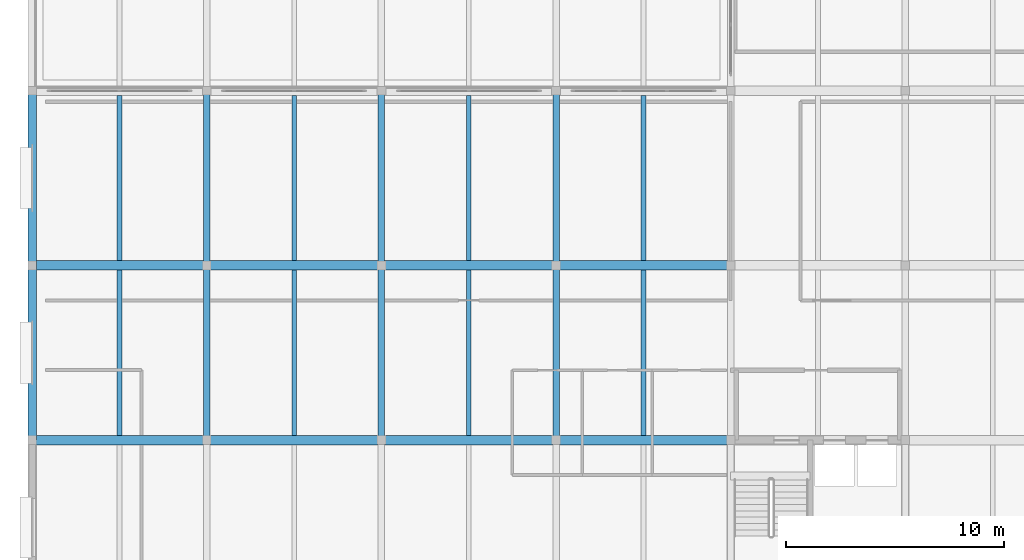
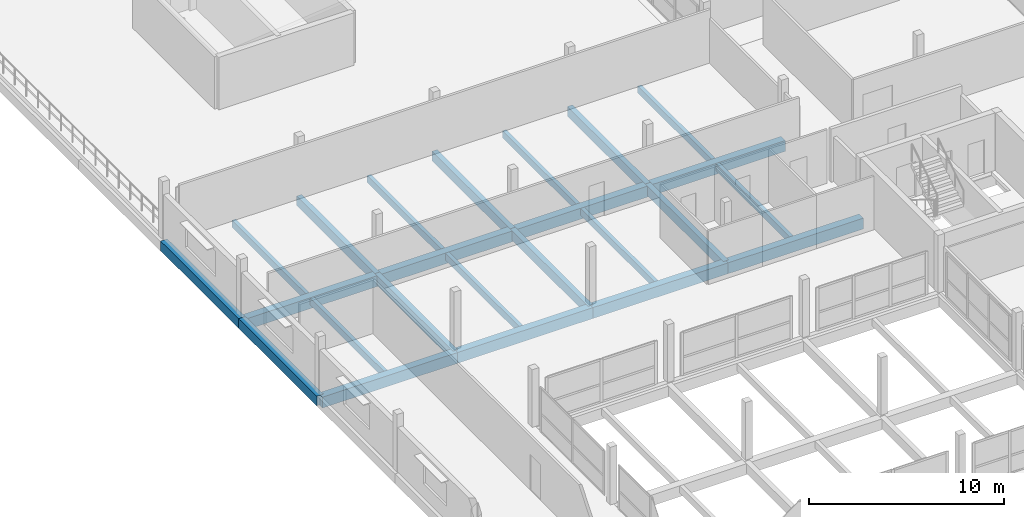
# One storey, part 14 of 51: 24 beams.
"""IFC4 building model written with IfcOpenShell, lengths in metres."""

from ifc_helpers import new_model, si_unit, direction, frame, origin, origin_2d, place, context, subcontext, project, spatial, rectangle, extrude, material, material_profile, profile_set, type_object, element, save


model = new_model("IFC4")

# Units and contexts
model_context = context("Model", 3, precision=1e-05, world=origin(), true_north=direction((0.0, 1.0)))
body_context = subcontext(model_context, "Body", "Model", "MODEL_VIEW")
ifc_project = project(units=[si_unit("LENGTHUNIT", "METRE"), si_unit("AREAUNIT", "SQUARE_METRE"), si_unit("VOLUMEUNIT", "CUBIC_METRE"), si_unit("PLANEANGLEUNIT", "RADIAN"), si_unit("MASSUNIT", "GRAM", prefix="KILO")], contexts=[model_context])

# Site, building, storey
site_placement = place(None, origin())
site = spatial("IfcSite", under=ifc_project, at=site_placement, CompositionType="ELEMENT")
building_placement = place(site_placement, origin())
building = spatial("IfcBuilding", under=site, at=building_placement, Name="Vharandega Faculty of Natural Sciences", CompositionType="ELEMENT")
storey_placement = place(building_placement, frame((0.0, 0.0, 18.0)))
storey = spatial("IfcBuildingStorey", under=building, at=storey_placement, Name="L04", CompositionType="ELEMENT", Elevation=18.0)

# Beams
ifc_material_1 = material(Name="Glulam GL28h", Category="wood")
ifc_material_profile_1 = material_profile(ifc_material_1, rectangle(XDim=0.300048828125, YDim=0.60009765625, at=origin_2d()), Name="GL28h 300x600")
ifc_profile_set_1 = profile_set([ifc_material_profile_1], Name="Glulam GL28h")
beam_type_1 = type_object("IfcBeamType", Name="Glulam Floor Beam 300x600", PredefinedType="BEAM", material=ifc_profile_set_1)
for number, where, z_axis, x_axis, name in (
    (1, (8.0, 48.0, -0.52001953125), (0.0, 1.0, 0.0), (-1.0, 0.0, 0.0), "Beam L04 2/G-H"),
    (2, (8.0, 56.0, -0.52001953125), (0.0, 1.0, 0.0), (-1.0, 0.0, 0.0), "Beam L04 2/H-J"),
    (3, (16.0, 48.0, -0.52001953125), (0.0, 1.0, 0.0), (-1.0, 0.0, 0.0), "Beam L04 3/G-H"),
    (4, (16.0, 56.0, -0.52001953125), (0.0, 1.0, 0.0), (-1.0, 0.0, 0.0), "Beam L04 3/H-J"),
    (5, (24.0, 48.0, -0.52001953125), (0.0, 1.0, 0.0), (-1.0, 0.0, 0.0), "Beam L04 4/G-H"),
    (6, (24.0, 56.0, -0.52001953125), (0.0, 1.0, 0.0), (-1.0, 0.0, 0.0), "Beam L04 4/H-J"),
):
    element("IfcBeam", number, at=place(storey_placement, frame(where, z_axis=z_axis, x_axis=x_axis)), inside=storey, type_object=beam_type_1, Name=name, PredefinedType="BEAM", context=body_context, shape_type="SweptSolid", body=[
        extrude(rectangle(XDim=0.300048828125, YDim=0.60009765625, at=origin_2d()), origin(), (0.0, 0.0, 1.0), 8.0),
    ])
ifc_material_2 = material(Name="Glulam GL32h", Category="wood")
ifc_material_profile_2 = material_profile(ifc_material_2, rectangle(XDim=0.43994140625, YDim=0.679931640625, at=origin_2d()), Name="GL32h 440x680")
ifc_profile_set_2 = profile_set([ifc_material_profile_2], Name="Glulam GL32h")
beam_type_2 = type_object("IfcBeamType", Name="Glulam Girder 440x680", PredefinedType="BEAM", material=ifc_profile_set_2)
for number, where, z_axis, x_axis, name in (
    (7, (0.0, 48.0, -0.56005859375), (1.0, 0.0, 0.0), (0.0, 1.0, 0.0), "Beam L04 G/1-2"),
    (8, (8.0, 48.0, -0.56005859375), (1.0, 0.0, 0.0), (0.0, 1.0, 0.0), "Beam L04 G/2-3"),
    (9, (16.0, 48.0, -0.56005859375), (1.0, 0.0, 0.0), (0.0, 1.0, 0.0), "Beam L04 G/3-4"),
    (10, (24.0, 48.0, -0.56005859375), (1.0, 0.0, 0.0), (0.0, 1.0, 0.0), "Beam L04 G/4-5"),
    (11, (0.0, 56.0, -0.56005859375), (1.0, 0.0, 0.0), (0.0, 1.0, 0.0), "Beam L04 H/1-2"),
    (12, (8.0, 56.0, -0.56005859375), (1.0, 0.0, 0.0), (0.0, 1.0, 0.0), "Beam L04 H/2-3"),
    (13, (16.0, 56.0, -0.56005859375), (1.0, 0.0, 0.0), (0.0, 1.0, 0.0), "Beam L04 H/3-4"),
    (14, (24.0, 56.0, -0.56005859375), (1.0, 0.0, 0.0), (0.0, 1.0, 0.0), "Beam L04 H/4-5"),
):
    element("IfcBeam", number, at=place(storey_placement, frame(where, z_axis=z_axis, x_axis=x_axis)), inside=storey, type_object=beam_type_2, Name=name, PredefinedType="BEAM", context=body_context, shape_type="SweptSolid", body=[
        extrude(rectangle(XDim=0.43994140625, YDim=0.679931640625, at=origin_2d()), origin(), (0.0, 0.0, 1.0), 8.0),
    ])
ifc_material_3 = material(Name="Glulam GL28h", Category="wood")
ifc_material_profile_3 = material_profile(ifc_material_3, rectangle(XDim=0.219970703125, YDim=0.43994140625, at=origin_2d()), Name="GL28h 220x440")
ifc_profile_set_3 = profile_set([ifc_material_profile_3], Name="Glulam GL28h")
beam_type_3 = type_object("IfcBeamType", Name="Glulam Secondary Joist 220x440", PredefinedType="JOIST", material=ifc_profile_set_3)
for number, where, z_axis, x_axis, name in (
    (15, (4.0, 48.219970703125, -0.43994140625), (0.0, 1.0, 0.0), (-1.0, 0.0, 0.0), "Secondary Joist L04 1-2/G-H"),
    (16, (4.0, 56.219970703125, -0.43994140625), (0.0, 1.0, 0.0), (-1.0, 0.0, 0.0), "Secondary Joist L04 1-2/H-J"),
    (17, (12.0, 48.219970703125, -0.43994140625), (0.0, 1.0, 0.0), (-1.0, 0.0, 0.0), "Secondary Joist L04 2-3/G-H"),
    (18, (12.0, 56.219970703125, -0.43994140625), (0.0, 1.0, 0.0), (-1.0, 0.0, 0.0), "Secondary Joist L04 2-3/H-J"),
    (19, (20.0, 48.219970703125, -0.43994140625), (0.0, 1.0, 0.0), (-1.0, 0.0, 0.0), "Secondary Joist L04 3-4/G-H"),
    (20, (20.0, 56.219970703125, -0.43994140625), (0.0, 1.0, 0.0), (-1.0, 0.0, 0.0), "Secondary Joist L04 3-4/H-J"),
    (21, (28.0, 48.219970703125, -0.43994140625), (0.0, 1.0, 0.0), (-1.0, 0.0, 0.0), "Secondary Joist L04 4-5/G-H"),
    (22, (28.0, 56.219970703125, -0.43994140625), (0.0, 1.0, 0.0), (-1.0, 0.0, 0.0), "Secondary Joist L04 4-5/H-J"),
):
    element("IfcBeam", number, at=place(storey_placement, frame(where, z_axis=z_axis, x_axis=x_axis)), inside=storey, type_object=beam_type_3, Name=name, PredefinedType="JOIST", context=body_context, shape_type="SweptSolid", body=[
        extrude(rectangle(XDim=0.219970703125, YDim=0.43994140625, at=origin_2d()), origin(), (0.0, 0.0, 1.0), 7.56005859375),
    ])
ifc_material_4 = material(Name="Glulam GL32h", Category="wood")
ifc_material_profile_4 = material_profile(ifc_material_4, rectangle(XDim=0.39990234375, YDim=0.60009765625, at=origin_2d()), Name="GL32h 400x600")
ifc_profile_set_4 = profile_set([ifc_material_profile_4], Name="Glulam GL32h")
beam_type_4 = type_object("IfcBeamType", Name="Glulam Spine Girder 400x600", PredefinedType="BEAM", material=ifc_profile_set_4)
for number, where, z_axis, x_axis, name in (
    (23, (0.0, 48.0, -0.52001953125), (0.0, 1.0, 0.0), (-1.0, 0.0, 0.0), "Beam L04 1/G-H"),
    (24, (0.0, 56.0, -0.52001953125), (0.0, 1.0, 0.0), (-1.0, 0.0, 0.0), "Beam L04 1/H-J"),
):
    element("IfcBeam", number, at=place(storey_placement, frame(where, z_axis=z_axis, x_axis=x_axis)), inside=storey, type_object=beam_type_4, Name=name, PredefinedType="BEAM", context=body_context, shape_type="SweptSolid", body=[
        extrude(rectangle(XDim=0.39990234375, YDim=0.60009765625, at=origin_2d()), origin(), (0.0, 0.0, 1.0), 8.0),
    ])

save(model, "model.ifc")
